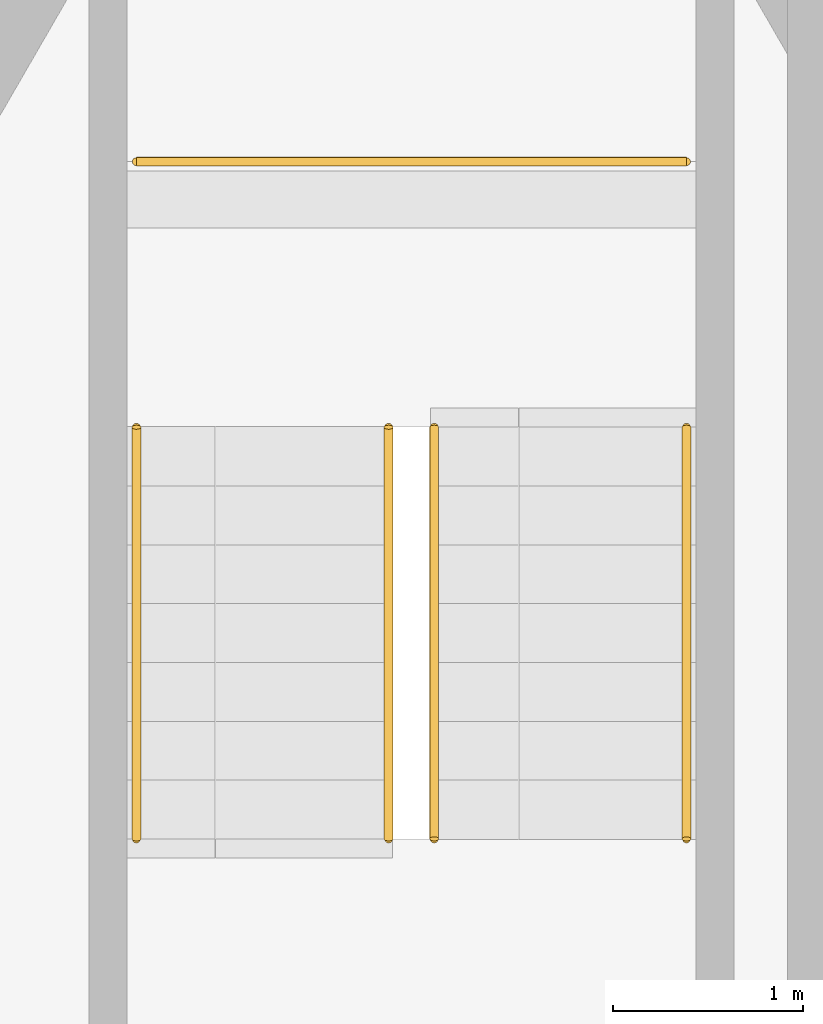
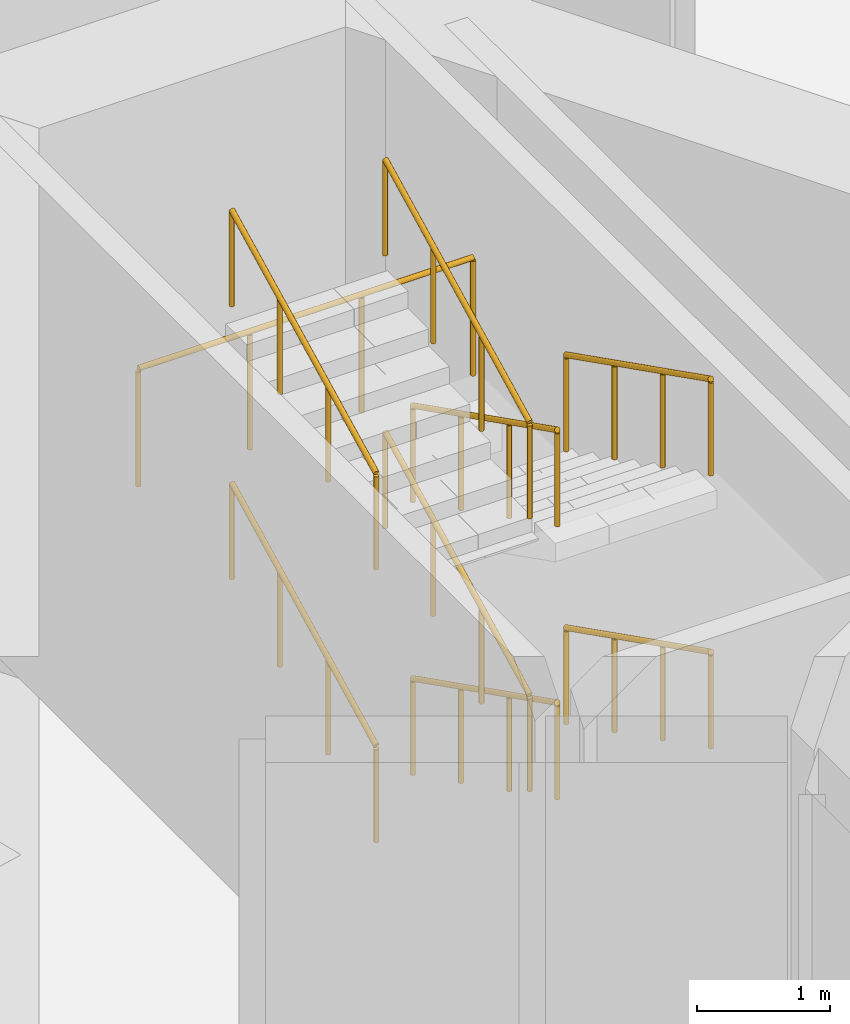
# One storey, part 28 of 28: 9 railings, 1 element without a shape of its own.
"""IFC4 building model written with IfcOpenShell, lengths in metres."""

from ifc_helpers import new_model, si_unit, direction, frame, origin, origin_2d, place, context, subcontext, project, spatial, circle, extrude, material, type_object, element, aggregate, save


model = new_model("IFC4")

# Units and contexts
model_context = context("Model", 3, precision=1e-05, world=origin(), true_north=direction((0.0, 1.0)))
body_context = subcontext(model_context, "Body", "Model", "MODEL_VIEW")
ifc_project = project(units=[si_unit("LENGTHUNIT", "METRE"), si_unit("AREAUNIT", "SQUARE_METRE"), si_unit("VOLUMEUNIT", "CUBIC_METRE"), si_unit("PLANEANGLEUNIT", "RADIAN"), si_unit("MASSUNIT", "GRAM", prefix="KILO")], contexts=[model_context])

# Site, building, storey
site_placement = place(None, origin())
site = spatial("IfcSite", under=ifc_project, at=site_placement, CompositionType="ELEMENT")
building_placement = place(site_placement, origin())
building = spatial("IfcBuilding", under=site, at=building_placement, Name="Triada Interchange Tower", CompositionType="ELEMENT")
storey_placement = place(building_placement, frame((0.0, 0.0, 30.300048828125)))
storey = spatial("IfcBuildingStorey", under=building, at=storey_placement, Name="L05", CompositionType="ELEMENT", Elevation=30.300048828125)

# Stair, railings
ifc_material_1 = material(Name="Concrete C35/45", Category="concrete")
stair_type = type_object("IfcStairType", Name="HALF TURN STAIR 1400", PredefinedType="HALF_TURN_STAIR", material=ifc_material_1)
stair_placement = place(storey_placement, origin())
stair = element("IfcStair", 1, at=stair_placement, inside=storey, type_object=stair_type, Name="Exit stair S05-1", PredefinedType="HALF_TURN_STAIR")
ifc_material_2 = material(Name="Stainless steel 1.4301", Category="steel")
railing_type_1 = type_object("IfcRailingType", Name="STAIR GUARD 1100", PredefinedType="GUARDRAIL", material=ifc_material_2)
railing_1_placement = place(storey_placement, frame((1.449951171875, 13.0, 2.5)))
railing_1 = element("IfcRailing", 2, at=railing_1_placement, type_object=railing_type_1, Name="Guard S05-1 1", PredefinedType="GUARDRAIL", context=body_context, shape_type="SweptSolid", body=[
    extrude(circle(Radius=0.02392578125, at=origin_2d()), frame((0.0, 0.0, 1.076171875), z_axis=(-1.0, 0.0, 0.0), x_axis=(0.0, -1.0, 0.0)), (0.0, 0.0, 1.0), 2.89990234375),
    extrude(circle(Radius=0.02099609375, at=origin_2d()), origin(), (0.0, 0.0, 1.0), 1.052001953125),
    extrude(circle(Radius=0.02099609375, at=origin_2d()), frame((-0.966552734375, 0.0, 0.0)), (0.0, 0.0, 1.0), 1.052001953125),
    extrude(circle(Radius=0.02099609375, at=origin_2d()), frame((-1.933349609375, 0.0, 0.0)), (0.0, 0.0, 1.0), 1.052001953125),
    extrude(circle(Radius=0.02099609375, at=origin_2d()), frame((-2.89990234375, 0.0, 0.0)), (0.0, 0.0, 1.0), 1.052001953125),
])
railing_type_2 = type_object("IfcRailingType", Name="STAIR HANDRAIL 900", PredefinedType="HANDRAIL", material=ifc_material_2)
railing_2_placement = place(storey_placement, frame((1.449951171875, 11.60009765625, 0.15625)))
railing_2 = element("IfcRailing", 3, at=railing_2_placement, type_object=railing_type_2, Name="Handrail S05-1 1W", PredefinedType="HANDRAIL", context=body_context, shape_type="SweptSolid", body=[
    extrude(circle(Radius=0.02392578125, at=origin_2d()), frame((0.0, 0.0, 0.8759765625), z_axis=(0.0, -0.892996097098, 0.450064407132), x_axis=(1.0, 0.0, 0.0)), (0.0, 0.0, 1.0), 2.43017578125),
    extrude(circle(Radius=0.02099609375, at=origin_2d()), origin(), (0.0, 0.0, 1.0), 0.851806640625),
    extrude(circle(Radius=0.02099609375, at=origin_2d()), frame((0.0, -0.723388671875, 0.364501953125)), (0.0, 0.0, 1.0), 0.851806640625),
    extrude(circle(Radius=0.02099609375, at=origin_2d()), frame((0.0, -1.44677734375, 0.729248046875)), (0.0, 0.0, 1.0), 0.851806640625),
    extrude(circle(Radius=0.02099609375, at=origin_2d()), frame((0.0, -2.170166015625, 1.09375)), (0.0, 0.0, 1.0), 0.851806640625),
])
railing_3_placement = place(storey_placement, frame((0.1201171875, 11.60009765625, 0.15625)))
railing_3 = element("IfcRailing", 4, at=railing_3_placement, type_object=railing_type_2, Name="Handrail S05-1 1C", PredefinedType="HANDRAIL", context=body_context, shape_type="SweptSolid", body=[
    extrude(circle(Radius=0.02392578125, at=origin_2d()), frame((0.0, 0.0, 0.8759765625), z_axis=(0.0, -0.892996097098, 0.450064407132), x_axis=(1.0, 0.0, 0.0)), (0.0, 0.0, 1.0), 2.43017578125),
    extrude(circle(Radius=0.02099609375, at=origin_2d()), origin(), (0.0, 0.0, 1.0), 0.851806640625),
    extrude(circle(Radius=0.02099609375, at=origin_2d()), frame((0.0, -0.723388671875, 0.364501953125)), (0.0, 0.0, 1.0), 0.851806640625),
    extrude(circle(Radius=0.02099609375, at=origin_2d()), frame((0.0, -1.44677734375, 0.729248046875)), (0.0, 0.0, 1.0), 0.851806640625),
    extrude(circle(Radius=0.02099609375, at=origin_2d()), frame((0.0, -2.170166015625, 1.09375)), (0.0, 0.0, 1.0), 0.851806640625),
])
railing_4_placement = place(storey_placement, frame((-1.449951171875, 9.429931640625, 1.40625)))
railing_4 = element("IfcRailing", 5, at=railing_4_placement, type_object=railing_type_2, Name="Handrail S05-1 2W", PredefinedType="HANDRAIL", context=body_context, shape_type="SweptSolid", body=[
    extrude(circle(Radius=0.02392578125, at=origin_2d()), frame((0.0, 0.0, 0.8759765625), z_axis=(0.0, 0.892996097098, 0.450064407132), x_axis=(-1.0, 0.0, 0.0)), (0.0, 0.0, 1.0), 2.43017578125),
    extrude(circle(Radius=0.02099609375, at=origin_2d()), origin(), (0.0, 0.0, 1.0), 0.851806640625),
    extrude(circle(Radius=0.02099609375, at=origin_2d()), frame((0.0, 0.723388671875, 0.364501953125)), (0.0, 0.0, 1.0), 0.851806640625),
    extrude(circle(Radius=0.02099609375, at=origin_2d()), frame((0.0, 1.44677734375, 0.729248046875)), (0.0, 0.0, 1.0), 0.851806640625),
    extrude(circle(Radius=0.02099609375, at=origin_2d()), frame((0.0, 2.170166015625, 1.09375)), (0.0, 0.0, 1.0), 0.851806640625),
])
railing_5_placement = place(storey_placement, frame((-0.1201171875, 9.429931640625, 1.40625)))
railing_5 = element("IfcRailing", 6, at=railing_5_placement, type_object=railing_type_2, Name="Handrail S05-1 2C", PredefinedType="HANDRAIL", context=body_context, shape_type="SweptSolid", body=[
    extrude(circle(Radius=0.02392578125, at=origin_2d()), frame((0.0, 0.0, 0.8759765625), z_axis=(0.0, 0.892996097098, 0.450064407132), x_axis=(-1.0, 0.0, 0.0)), (0.0, 0.0, 1.0), 2.43017578125),
    extrude(circle(Radius=0.02099609375, at=origin_2d()), origin(), (0.0, 0.0, 1.0), 0.851806640625),
    extrude(circle(Radius=0.02099609375, at=origin_2d()), frame((0.0, 0.723388671875, 0.364501953125)), (0.0, 0.0, 1.0), 0.851806640625),
    extrude(circle(Radius=0.02099609375, at=origin_2d()), frame((0.0, 1.44677734375, 0.729248046875)), (0.0, 0.0, 1.0), 0.851806640625),
    extrude(circle(Radius=0.02099609375, at=origin_2d()), frame((0.0, 2.170166015625, 1.09375)), (0.0, 0.0, 1.0), 0.851806640625),
])
railing_6_placement = place(storey_placement, frame((1.449951171875, 11.60009765625, 2.65625)))
railing_6 = element("IfcRailing", 7, at=railing_6_placement, type_object=railing_type_2, Name="Handrail S05-1 3W", PredefinedType="HANDRAIL", context=body_context, shape_type="SweptSolid", body=[
    extrude(circle(Radius=0.02392578125, at=origin_2d()), frame((0.0, 0.0, 0.8759765625), z_axis=(0.0, -0.892996097098, 0.450064407132), x_axis=(1.0, 0.0, 0.0)), (0.0, 0.0, 1.0), 2.43017578125),
    extrude(circle(Radius=0.02099609375, at=origin_2d()), origin(), (0.0, 0.0, 1.0), 0.851806640625),
    extrude(circle(Radius=0.02099609375, at=origin_2d()), frame((0.0, -0.723388671875, 0.364501953125)), (0.0, 0.0, 1.0), 0.851806640625),
    extrude(circle(Radius=0.02099609375, at=origin_2d()), frame((0.0, -1.44677734375, 0.729248046875)), (0.0, 0.0, 1.0), 0.851806640625),
    extrude(circle(Radius=0.02099609375, at=origin_2d()), frame((0.0, -2.170166015625, 1.09375)), (0.0, 0.0, 1.0), 0.851806640625),
])
railing_7_placement = place(storey_placement, frame((0.1201171875, 11.60009765625, 2.65625)))
railing_7 = element("IfcRailing", 8, at=railing_7_placement, type_object=railing_type_2, Name="Handrail S05-1 3C", PredefinedType="HANDRAIL", context=body_context, shape_type="SweptSolid", body=[
    extrude(circle(Radius=0.02392578125, at=origin_2d()), frame((0.0, 0.0, 0.8759765625), z_axis=(0.0, -0.892996097098, 0.450064407132), x_axis=(1.0, 0.0, 0.0)), (0.0, 0.0, 1.0), 2.43017578125),
    extrude(circle(Radius=0.02099609375, at=origin_2d()), origin(), (0.0, 0.0, 1.0), 0.851806640625),
    extrude(circle(Radius=0.02099609375, at=origin_2d()), frame((0.0, -0.723388671875, 0.364501953125)), (0.0, 0.0, 1.0), 0.851806640625),
    extrude(circle(Radius=0.02099609375, at=origin_2d()), frame((0.0, -1.44677734375, 0.729248046875)), (0.0, 0.0, 1.0), 0.851806640625),
    extrude(circle(Radius=0.02099609375, at=origin_2d()), frame((0.0, -2.170166015625, 1.09375)), (0.0, 0.0, 1.0), 0.851806640625),
])
railing_8_placement = place(storey_placement, frame((-1.449951171875, 9.429931640625, 3.90625)))
railing_8 = element("IfcRailing", 9, at=railing_8_placement, type_object=railing_type_2, Name="Handrail S05-1 4W", PredefinedType="HANDRAIL", context=body_context, shape_type="SweptSolid", body=[
    extrude(circle(Radius=0.02392578125, at=origin_2d()), frame((0.0, 0.0, 0.8759765625), z_axis=(0.0, 0.892996097098, 0.450064407132), x_axis=(-1.0, 0.0, 0.0)), (0.0, 0.0, 1.0), 2.43017578125),
    extrude(circle(Radius=0.02099609375, at=origin_2d()), origin(), (0.0, 0.0, 1.0), 0.851806640625),
    extrude(circle(Radius=0.02099609375, at=origin_2d()), frame((0.0, 0.723388671875, 0.364501953125)), (0.0, 0.0, 1.0), 0.851806640625),
    extrude(circle(Radius=0.02099609375, at=origin_2d()), frame((0.0, 1.44677734375, 0.729248046875)), (0.0, 0.0, 1.0), 0.851806640625),
    extrude(circle(Radius=0.02099609375, at=origin_2d()), frame((0.0, 2.170166015625, 1.09375)), (0.0, 0.0, 1.0), 0.851806640625),
])
railing_9_placement = place(storey_placement, frame((-0.1201171875, 9.429931640625, 3.90625)))
railing_9 = element("IfcRailing", 10, at=railing_9_placement, type_object=railing_type_2, Name="Handrail S05-1 4C", PredefinedType="HANDRAIL", context=body_context, shape_type="SweptSolid", body=[
    extrude(circle(Radius=0.02392578125, at=origin_2d()), frame((0.0, 0.0, 0.8759765625), z_axis=(0.0, 0.892996097098, 0.450064407132), x_axis=(-1.0, 0.0, 0.0)), (0.0, 0.0, 1.0), 2.43017578125),
    extrude(circle(Radius=0.02099609375, at=origin_2d()), origin(), (0.0, 0.0, 1.0), 0.851806640625),
    extrude(circle(Radius=0.02099609375, at=origin_2d()), frame((0.0, 0.723388671875, 0.364501953125)), (0.0, 0.0, 1.0), 0.851806640625),
    extrude(circle(Radius=0.02099609375, at=origin_2d()), frame((0.0, 1.44677734375, 0.729248046875)), (0.0, 0.0, 1.0), 0.851806640625),
    extrude(circle(Radius=0.02099609375, at=origin_2d()), frame((0.0, 2.170166015625, 1.09375)), (0.0, 0.0, 1.0), 0.851806640625),
])
aggregate(stair, [railing_2, railing_3, railing_4, railing_5, railing_6, railing_7, railing_8, railing_9, railing_1])

save(model, "model.ifc")
